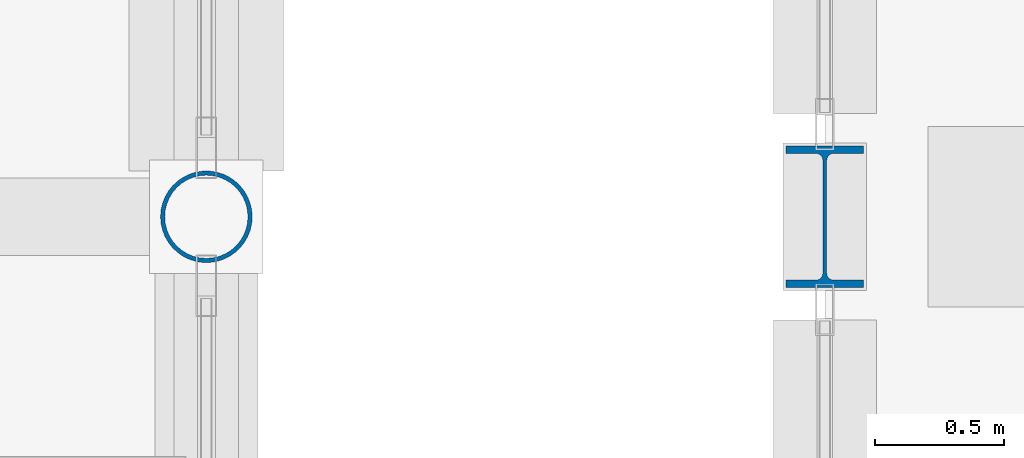
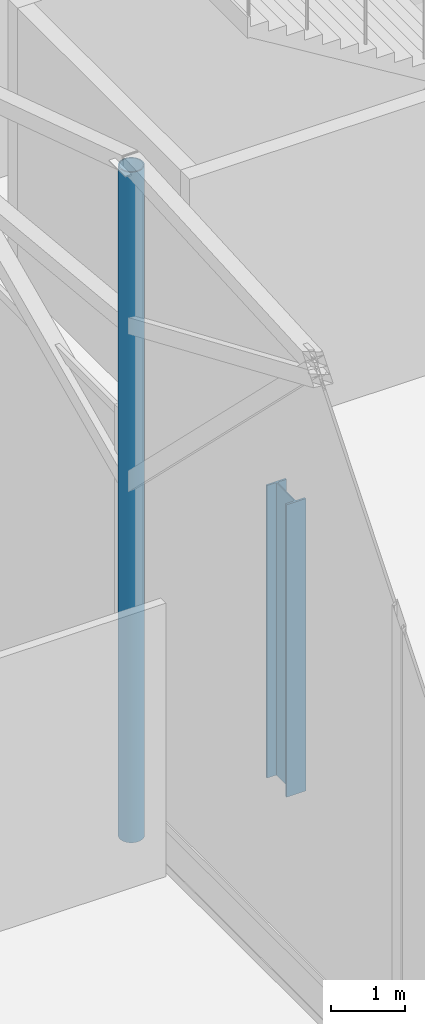
# One storey, part 12 of 220: 2 columns.
"""IFC4 building model written with IfcOpenShell, lengths in metres."""

import ifcopenshell
import ifcopenshell.guid

model = None  # the IFC model being written
_history = None  # IfcOwnerHistory: only IFC2X3 demands one
_inside = {}  # id of a spatial element -> (the spatial element, [elements in it])
_under = {}  # id of a project, library or spatial element -> (it, [spatial elements below it])
_declared = {}  # id of a project -> (the project, [libraries it declares])
_typed = {}  # id of a type object -> (the type object, [elements of that type])
_made_of = {}  # id of a material, layer set ... -> (it, [elements and type objects made of it])


def new_model(schema):
    """Start an empty IFC model of exactly this schema.

    Asked for "IFC4X3", IfcOpenShell would pick the latest addendum, in which some entities
    have other attributes; the version numbers below select the first issue.
    IFC2X3 requires an IfcOwnerHistory on every rooted entity: one is made here for all.
    """
    global model, _history
    if schema == "IFC4X3":
        model = ifcopenshell.file(schema_version=(4, 3, 0, 0))
    else:
        model = ifcopenshell.file(schema=schema)
    _inside.clear()
    _under.clear()
    _declared.clear()
    _typed.clear()
    _made_of.clear()
    _history = None
    if model.schema == "IFC2X3":
        org = make("IfcOrganization", Name="unknown")
        user = make(
            "IfcPersonAndOrganization",
            ThePerson=make("IfcPerson", FamilyName="unknown"),
            TheOrganization=org,
        )
        app = make(
            "IfcApplication",
            ApplicationDeveloper=org,
            Version="unknown",
            ApplicationFullName="unknown",
            ApplicationIdentifier="unknown",
        )
        _history = make(
            "IfcOwnerHistory",
            OwningUser=user,
            OwningApplication=app,
            ChangeAction="ADDED",
            CreationDate=0,
        )
    return model


def make(cls, **values):
    """One entity of the class cls with the attributes given. An attribute that is None is left unset."""
    return model.create_entity(
        cls, **{name: value for name, value in values.items() if value is not None}
    )


def rooted(cls, **values):
    """An entity with a GlobalId (a new one), such as an element, a storey or a relation."""
    return make(cls, GlobalId=ifcopenshell.guid.new(), OwnerHistory=_history, **values)


def si_unit(unit_type, name, prefix=None):
    """IfcSIUnit, for example si_unit("LENGTHUNIT", "METRE", prefix="MILLI")."""
    return make("IfcSIUnit", UnitType=unit_type, Prefix=prefix, Name=name)


def assignment(units):
    """IfcUnitAssignment: the units of a project."""
    return None if units is None else make("IfcUnitAssignment", Units=units)


def point(xyz):
    """IfcCartesianPoint."""
    return None if xyz is None else make("IfcCartesianPoint", Coordinates=xyz)


def direction(xyz):
    """IfcDirection."""
    return None if xyz is None else make("IfcDirection", DirectionRatios=xyz)


def frame(location, z_axis=None, x_axis=None):
    """IfcAxis2Placement3D, a coordinate frame: its origin and axes. An axis left out is left unset."""
    return make(
        "IfcAxis2Placement3D",
        Location=point(location),
        Axis=direction(z_axis),
        RefDirection=direction(x_axis),
    )


def frame_2d(location, x_axis=None):
    """IfcAxis2Placement2D, a coordinate frame in the plane: its origin and x axis."""
    return make(
        "IfcAxis2Placement2D", Location=point(location), RefDirection=direction(x_axis)
    )


def origin():
    """The frame at (0, 0, 0) with its axes left unset."""
    return frame((0.0, 0.0, 0.0))


def origin_2d():
    """The frame at (0, 0) in the plane with its x axis left unset."""
    return frame_2d((0.0, 0.0))


def place(relative_to, where):
    """IfcLocalPlacement: puts the frame where relative to a parent placement (None: the world)."""
    return make(
        "IfcLocalPlacement", PlacementRelTo=relative_to, RelativePlacement=where
    )


def context(
    kind, dimensions, precision=None, world=None, true_north=None, identifier=None
):
    """IfcGeometricRepresentationContext, for example the 3D "Model" context."""
    return make(
        "IfcGeometricRepresentationContext",
        ContextIdentifier=identifier,
        ContextType=kind,
        CoordinateSpaceDimension=dimensions,
        Precision=precision,
        WorldCoordinateSystem=world,
        TrueNorth=true_north,
    )


def subcontext(parent, identifier, kind, view, scale=None):
    """IfcGeometricRepresentationSubContext, for example "Body" below "Model"."""
    return make(
        "IfcGeometricRepresentationSubContext",
        ContextIdentifier=identifier,
        ContextType=kind,
        ParentContext=parent,
        TargetScale=scale,
        TargetView=view,
    )


def project(units=None, contexts=None):
    """IfcProject with its units and contexts."""
    return rooted(
        "IfcProject",
        Name="project",
        RepresentationContexts=contexts,
        UnitsInContext=assignment(units),
    )


def spatial(cls, under=None, at=None, **own):
    """A site, building, storey or space (cls), placed at a placement, below another one or the project."""
    s = rooted(cls, ObjectPlacement=at, **own)
    if under is not None:
        _under.setdefault(under.id(), (under, []))[1].append(s)
    return s


def profile(cls, at=None, kind="AREA", **sizes):
    """A parametric profile (cls). Its sizes go by their IFC names, for example OverallWidth=200.0."""
    return make(cls, ProfileType=kind, Position=at, **sizes)


def hollow_circle(**sizes):
    """IfcCircleHollowProfileDef."""
    return profile("IfcCircleHollowProfileDef", **sizes)


def i_section(**sizes):
    """IfcIShapeProfileDef."""
    return profile("IfcIShapeProfileDef", **sizes)


def extrude(swept, where, along, depth):
    """IfcExtrudedAreaSolid: the profile swept, set in the frame where, extruded along a direction by depth."""
    return make(
        "IfcExtrudedAreaSolid",
        SweptArea=swept,
        Position=where,
        ExtrudedDirection=direction(along),
        Depth=depth,
    )


def shape(context_of_items, identifier, shape_type, items):
    """IfcShapeRepresentation: the items that make up one representation, for example the "Body"."""
    return make(
        "IfcShapeRepresentation",
        ContextOfItems=context_of_items,
        RepresentationIdentifier=identifier,
        RepresentationType=shape_type,
        Items=items,
    )


def material(Name=None, Category=None):
    """IfcMaterial."""
    return make("IfcMaterial", Name=Name, Category=Category)


def material_profile(
    of_material, cross_section, Name=None, Category=None, Priority=None
):
    """IfcMaterialProfile: a cross section and its material."""
    return make(
        "IfcMaterialProfile",
        Name=Name,
        Material=of_material,
        Profile=cross_section,
        Priority=Priority,
        Category=Category,
    )


def profile_set(profiles, Name=None, composite=None):
    """IfcMaterialProfileSet."""
    return make(
        "IfcMaterialProfileSet",
        Name=Name,
        MaterialProfiles=profiles,
        CompositeProfile=composite,
    )


def made_of(thing, what):
    """Note that an element or type object is made of a material, layer set ...; save() writes the relation."""
    if what is not None:
        _made_of.setdefault(what.id(), (what, []))[1].append(thing)
    return thing


def type_object(cls, material=None, **own):
    """A type object (cls), such as IfcWallType, which elements share."""
    return made_of(rooted(cls, **own), material)


def element(
    cls,
    number,
    at=None,
    inside=None,
    cuts=None,
    type_object=None,
    material=None,
    context=None,
    identifier="Body",
    shape_type=None,
    held_by="IfcProductDefinitionShape",
    body=None,
    shapes=None,
    **own,
):
    """One element of the class cls, such as IfcWall. Its Tag is "e" and its number.

    at: its placement. inside: the storey or other place that contains it. cuts: it is an
    opening in that element (IfcRelVoidsElement). A single representation is given by context,
    identifier, shape_type and body (its items); several are given by shapes. held_by: the class
    of the entity that holds the representations. save() writes the other relations.
    """
    e = rooted(cls, Tag="e%d" % number, ObjectPlacement=at, **own)
    if body is not None:
        shapes = [shape(context, identifier, shape_type, body)]
    if shapes is not None:
        e.Representation = make(held_by, Representations=shapes)
    if inside is not None:
        _inside.setdefault(inside.id(), (inside, []))[1].append(e)
    if cuts is not None:
        rooted(
            "IfcRelVoidsElement", RelatingBuildingElement=cuts, RelatedOpeningElement=e
        )
    if type_object is not None:
        _typed.setdefault(type_object.id(), (type_object, []))[1].append(e)
    return made_of(e, material)


def aggregate(whole, parts):
    """IfcRelAggregates: a whole, such as a stair, and the parts it consists of."""
    return rooted("IfcRelAggregates", RelatingObject=whole, RelatedObjects=parts)


def save(model, path):
    """Write the relations noted so far, then the file.

    IfcRelAggregates (storeys below a building ...), IfcRelContainedInSpatialStructure (elements
    in a storey), IfcRelDefinesByType, IfcRelAssociatesMaterial and IfcRelDeclares: one each for
    every whole, place, type object, material and project.
    """
    for whole, parts in _under.values():
        aggregate(whole, parts)
    for where, things in _inside.values():
        rooted(
            "IfcRelContainedInSpatialStructure",
            RelatedElements=things,
            RelatingStructure=where,
        )
    for kind, things in _typed.values():
        rooted("IfcRelDefinesByType", RelatedObjects=things, RelatingType=kind)
    for what, things in _made_of.values():
        rooted("IfcRelAssociatesMaterial", RelatedObjects=things, RelatingMaterial=what)
    for by, libraries in _declared.values():
        rooted("IfcRelDeclares", RelatingContext=by, RelatedDefinitions=libraries)
    model.write(path)


model = new_model("IFC4")

# Units and contexts
model_context = context("Model", 3, precision=1e-05, world=origin(), true_north=direction((0.0, 1.0)))
body_context = subcontext(model_context, "Body", "Model", "MODEL_VIEW")
ifc_project = project(units=[si_unit("LENGTHUNIT", "METRE"), si_unit("AREAUNIT", "SQUARE_METRE"), si_unit("VOLUMEUNIT", "CUBIC_METRE"), si_unit("PLANEANGLEUNIT", "RADIAN"), si_unit("MASSUNIT", "GRAM", prefix="KILO")], contexts=[model_context])

# Site, building, storey
site_placement = place(None, origin())
site = spatial("IfcSite", under=ifc_project, at=site_placement, CompositionType="ELEMENT")
building_placement = place(site_placement, origin())
building = spatial("IfcBuilding", under=site, at=building_placement, Name="Cendralis Lancet Convention Centre", CompositionType="ELEMENT")
storey_placement = place(building_placement, frame((0.0, 0.0, 5.39990234375)))
storey = spatial("IfcBuildingStorey", under=building, at=storey_placement, Name="L01", CompositionType="ELEMENT", Elevation=5.39990234375)

# Columns
ifc_material = material(Name="Steel S355", Category="steel")
ifc_material_profile_1 = material_profile(ifc_material, i_section(OverallWidth=0.300048828125, OverallDepth=0.550048828125, WebThickness=0.014892578125, FlangeThickness=0.029052734375, FilletRadius=0.027099609375, at=origin_2d()), Name="HEB 550")
ifc_profile_set_1 = profile_set([ifc_material_profile_1], Name="Steel S355")
column_type_1 = type_object("IfcColumnType", Name="STR-COL-C22", PredefinedType="COLUMN", material=ifc_profile_set_1)
column_1_placement = place(storey_placement, frame((124.800048828125, 122.39990234375, 0.0), z_axis=(0.0, 0.0, 1.0), x_axis=(1.0, 0.0, 0.0)))
element("IfcColumn", 1, at=column_1_placement, inside=storey, type_object=column_type_1, Name="L01 Column C22 at 124.8,122.4", PredefinedType="COLUMN", context=body_context, shape_type="SweptSolid", body=[
    extrude(i_section(OverallWidth=0.300048828125, OverallDepth=0.550048828125, WebThickness=0.014892578125, FlangeThickness=0.029052734375, FilletRadius=0.027099609375, at=origin_2d()), origin(), (0.0, 0.0, 1.0), 4.800048828125),
])
ifc_material_profile_2 = material_profile(ifc_material, hollow_circle(Radius=0.177734375, WallThickness=0.01611328125, at=origin_2d()), Name="CHS 355.6x16.0")
ifc_profile_set_2 = profile_set([ifc_material_profile_2], Name="Steel S355")
column_type_2 = type_object("IfcColumnType", Name="STR-COL-C28", PredefinedType="COLUMN", material=ifc_profile_set_2)
column_2_placement = place(storey_placement, frame((122.39990234375, 122.39990234375, 0.0), z_axis=(0.0, 0.0, 1.0), x_axis=(1.0, 0.0, 0.0)))
element("IfcColumn", 2, at=column_2_placement, inside=storey, type_object=column_type_2, Name="L01 Column C28 at 122.4,122.4", PredefinedType="COLUMN", context=body_context, shape_type="SweptSolid", body=[
    extrude(hollow_circle(Radius=0.177734375, WallThickness=0.01611328125, at=origin_2d()), origin(), (0.0, 0.0, 1.0), 11.0009765625),
])

save(model, "model.ifc")
